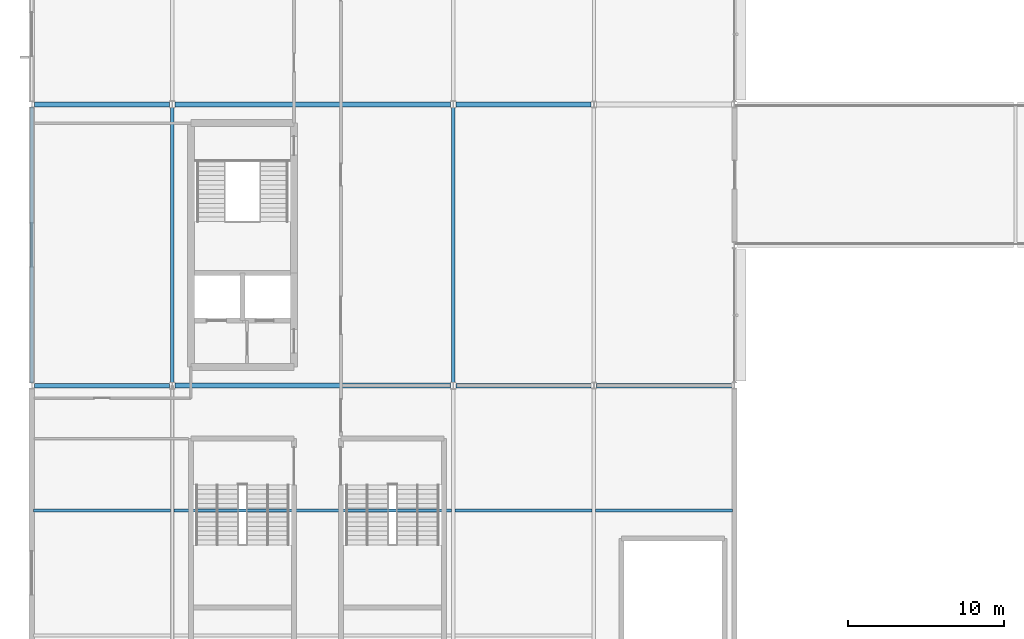
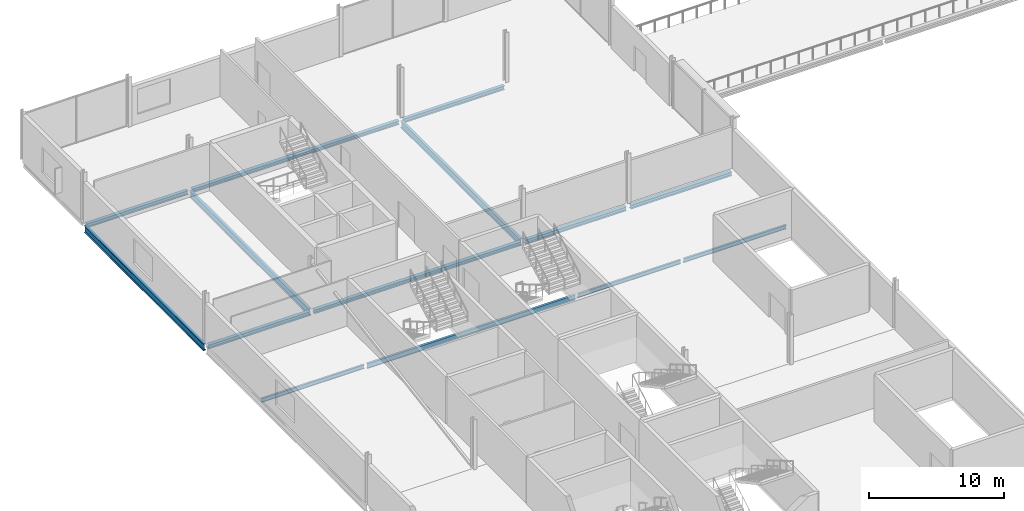
# One storey, part 20 of 73: 14 beams.
"""IFC4 building model written with IfcOpenShell, lengths in metres."""

from ifc_helpers import new_model, si_unit, direction, frame, origin, origin_2d, place, context, subcontext, project, spatial, i_section, extrude, material, material_profile, profile_set, type_object, element, save


model = new_model("IFC4")

# Units and contexts
model_context = context("Model", 3, precision=1e-05, world=origin(), true_north=direction((0.0, 1.0)))
body_context = subcontext(model_context, "Body", "Model", "MODEL_VIEW")
ifc_project = project(units=[si_unit("LENGTHUNIT", "METRE"), si_unit("AREAUNIT", "SQUARE_METRE"), si_unit("VOLUMEUNIT", "CUBIC_METRE"), si_unit("PLANEANGLEUNIT", "RADIAN"), si_unit("MASSUNIT", "GRAM", prefix="KILO")], contexts=[model_context])

# Site, building, storey
site_placement = place(None, origin())
site = spatial("IfcSite", under=ifc_project, at=site_placement, CompositionType="ELEMENT")
building_placement = place(site_placement, origin())
building = spatial("IfcBuilding", under=site, at=building_placement, Name="Kisiwana Market Hall", CompositionType="ELEMENT")
storey_placement = place(building_placement, frame((0.0, 0.0, 33.300048828125)))
storey = spatial("IfcBuildingStorey", under=building, at=storey_placement, Name="L07", CompositionType="ELEMENT", Elevation=33.300048828125)

# Beams
ifc_material_1 = material(Name="Steel S355", Category="steel")
ifc_material_profile_1 = material_profile(ifc_material_1, i_section(OverallWidth=0.300048828125, OverallDepth=0.360107421875, WebThickness=0.012451171875, FlangeThickness=0.0224609375, at=origin_2d()), Name="HEB 360")
ifc_profile_set_1 = profile_set([ifc_material_profile_1], Name="Steel S355")
beam_type_1 = type_object("IfcBeamType", Name="BM-GIRD-HEB360", PredefinedType="BEAM", material=ifc_profile_set_1)
for number, where, z_axis, x_axis, name in (
    (1, (0.18115234375, 84.0, -0.4599609375), (1.0, 0.0, 0.0), (0.0, 1.0, 0.0), "Floor beam B-1993"),
    (2, (27.183349609375, 84.0, -0.4599609375), (1.0, 0.0, 0.0), (0.0, 1.0, 0.0), "Floor beam B-1995"),
):
    element("IfcBeam", number, at=place(storey_placement, frame(where, z_axis=z_axis, x_axis=x_axis)), inside=storey, type_object=beam_type_1, Name=name, PredefinedType="BEAM", context=body_context, shape_type="SweptSolid", body=[
        extrude(i_section(OverallWidth=0.300048828125, OverallDepth=0.360107421875, WebThickness=0.012451171875, FlangeThickness=0.0224609375, at=origin_2d()), origin(), (0.0, 0.0, 1.0), 8.635498046875),
    ])
beam_1_placement = place(storey_placement, frame((36.18115234375, 84.0, -0.4599609375), z_axis=(1.0, 0.0, 0.0), x_axis=(0.0, 1.0, 0.0)))
element("IfcBeam", 3, at=beam_1_placement, inside=storey, type_object=beam_type_1, Name="Floor beam B-1996", PredefinedType="BEAM", context=body_context, shape_type="SweptSolid", body=[
    extrude(i_section(OverallWidth=0.300048828125, OverallDepth=0.360107421875, WebThickness=0.012451171875, FlangeThickness=0.0224609375, at=origin_2d()), origin(), (0.0, 0.0, 1.0), 8.6376953125),
])
for number, where, z_axis, x_axis, name in (
    (4, (0.18115234375, 102.0, -0.4599609375), (1.0, 0.0, 0.0), (0.0, 1.0, 0.0), "Floor beam B-2007"),
    (5, (27.183349609375, 102.0, -0.4599609375), (1.0, 0.0, 0.0), (0.0, 1.0, 0.0), "Floor beam B-2009"),
):
    element("IfcBeam", number, at=place(storey_placement, frame(where, z_axis=z_axis, x_axis=x_axis)), inside=storey, type_object=beam_type_1, Name=name, PredefinedType="BEAM", context=body_context, shape_type="SweptSolid", body=[
        extrude(i_section(OverallWidth=0.300048828125, OverallDepth=0.360107421875, WebThickness=0.012451171875, FlangeThickness=0.0224609375, at=origin_2d()), origin(), (0.0, 0.0, 1.0), 8.635498046875),
    ])
ifc_material_2 = material(Name="Steel S355", Category="steel")
ifc_material_profile_2 = material_profile(ifc_material_2, i_section(OverallWidth=0.22900390625, OverallDepth=0.6123046875, WebThickness=0.011962890625, FlangeThickness=0.01953125, at=origin_2d()), Name="UB 610x229x125")
ifc_profile_set_2 = profile_set([ifc_material_profile_2], Name="Steel S355")
beam_type_2 = type_object("IfcBeamType", Name="BM-GIRD-UB610H", PredefinedType="BEAM", material=ifc_profile_set_2)
beam_2_placement = place(storey_placement, frame((0.0, 84.177001953125, -0.586181640625), z_axis=(0.0, 1.0, 0.0), x_axis=(-1.0, 0.0, 0.0)))
element("IfcBeam", 6, at=beam_2_placement, inside=storey, type_object=beam_type_2, Name="Floor beam B-2033", PredefinedType="BEAM", context=body_context, shape_type="SweptSolid", body=[
    extrude(i_section(OverallWidth=0.22900390625, OverallDepth=0.6123046875, WebThickness=0.011962890625, FlangeThickness=0.01953125, at=origin_2d()), origin(), (0.0, 0.0, 1.0), 17.64599609375),
])
for number, where, z_axis, x_axis, name in (
    (7, (9.0, 84.183349609375, -0.586181640625), (0.0, 1.0, 0.0), (-1.0, 0.0, 0.0), "Primary girder B-1885"),
    (8, (27.0, 84.183349609375, -0.586181640625), (0.0, 1.0, 0.0), (-1.0, 0.0, 0.0), "Primary girder B-1889"),
):
    element("IfcBeam", number, at=place(storey_placement, frame(where, z_axis=z_axis, x_axis=x_axis)), inside=storey, type_object=beam_type_2, Name=name, PredefinedType="BEAM", context=body_context, shape_type="SweptSolid", body=[
        extrude(i_section(OverallWidth=0.22900390625, OverallDepth=0.6123046875, WebThickness=0.011962890625, FlangeThickness=0.01953125, at=origin_2d()), origin(), (0.0, 0.0, 1.0), 17.63330078125),
    ])
ifc_material_3 = material(Name="Steel S355", Category="steel")
ifc_material_profile_3 = material_profile(ifc_material_3, i_section(OverallWidth=0.17138671875, OverallDepth=0.35498046875, WebThickness=0.00732421875, FlangeThickness=0.011474609375, at=origin_2d()), Name="UB 356x171x51")
ifc_profile_set_3 = profile_set([ifc_material_profile_3], Name="Steel S355")
beam_type_3 = type_object("IfcBeamType", Name="BM-JOIST-UB356", PredefinedType="JOIST", material=ifc_profile_set_3)
for number, where, z_axis, x_axis, name in (
    (9, (0.113525390625, 76.0, -0.45751953125), (1.0, 0.0, 0.0), (0.0, 1.0, 0.0), "Secondary floor joist B-1947"),
    (10, (27.113525390625, 76.0, -0.45751953125), (1.0, 0.0, 0.0), (0.0, 1.0, 0.0), "Secondary floor joist B-1949"),
    (11, (36.113525390625, 76.0, -0.45751953125), (1.0, 0.0, 0.0), (0.0, 1.0, 0.0), "Secondary floor joist B-1950"),
):
    element("IfcBeam", number, at=place(storey_placement, frame(where, z_axis=z_axis, x_axis=x_axis)), inside=storey, type_object=beam_type_3, Name=name, PredefinedType="JOIST", context=body_context, shape_type="SweptSolid", body=[
        extrude(i_section(OverallWidth=0.17138671875, OverallDepth=0.35498046875, WebThickness=0.00732421875, FlangeThickness=0.011474609375, at=origin_2d()), origin(), (0.0, 0.0, 1.0), 8.77294921875),
    ])
ifc_material_4 = material(Name="Steel S355", Category="steel")
ifc_material_profile_4 = material_profile(ifc_material_4, i_section(OverallWidth=0.18994140625, OverallDepth=0.453369140625, WebThickness=0.008544921875, FlangeThickness=0.0126953125, at=origin_2d()), Name="UB 457x191x67")
ifc_profile_set_4 = profile_set([ifc_material_profile_4], Name="Steel S355")
beam_type_4 = type_object("IfcBeamType", Name="BM-JOIST-UB457", PredefinedType="JOIST", material=ifc_profile_set_4)
beam_3_placement = place(storey_placement, frame((9.113525390625, 76.0, -0.5068359375), z_axis=(1.0, 0.0, 0.0), x_axis=(0.0, 1.0, 0.0)))
element("IfcBeam", 12, at=beam_3_placement, inside=storey, type_object=beam_type_4, Name="Secondary floor joist B-1948", PredefinedType="JOIST", context=body_context, shape_type="SweptSolid", body=[
    extrude(i_section(OverallWidth=0.18994140625, OverallDepth=0.453369140625, WebThickness=0.008544921875, FlangeThickness=0.0126953125, at=origin_2d()), origin(), (0.0, 0.0, 1.0), 17.77294921875),
])
ifc_material_5 = material(Name="Steel S355", Category="steel")
ifc_material_profile_5 = material_profile(ifc_material_5, i_section(OverallWidth=0.314453125, OverallDepth=0.33984375, WebThickness=0.01904296875, FlangeThickness=0.031494140625, at=origin_2d()), Name="UC 305x305x198")
ifc_profile_set_5 = profile_set([ifc_material_profile_5], Name="Steel S355")
beam_type_5 = type_object("IfcBeamType", Name="BM-SKYBR-CHORD", PredefinedType="BEAM", material=ifc_profile_set_5)
for number, where, z_axis, x_axis, name in (
    (13, (9.183349609375, 84.0, -0.449951171875), (1.0, 0.0, 0.0), (0.0, 1.0, 0.0), "Floor beam B-1994"),
    (14, (9.183349609375, 102.0, -0.449951171875), (1.0, 0.0, 0.0), (0.0, 1.0, 0.0), "Floor beam B-2008"),
):
    element("IfcBeam", number, at=place(storey_placement, frame(where, z_axis=z_axis, x_axis=x_axis)), inside=storey, type_object=beam_type_5, Name=name, PredefinedType="BEAM", context=body_context, shape_type="SweptSolid", body=[
        extrude(i_section(OverallWidth=0.314453125, OverallDepth=0.33984375, WebThickness=0.01904296875, FlangeThickness=0.031494140625, at=origin_2d()), origin(), (0.0, 0.0, 1.0), 17.63330078125),
    ])

save(model, "model.ifc")
